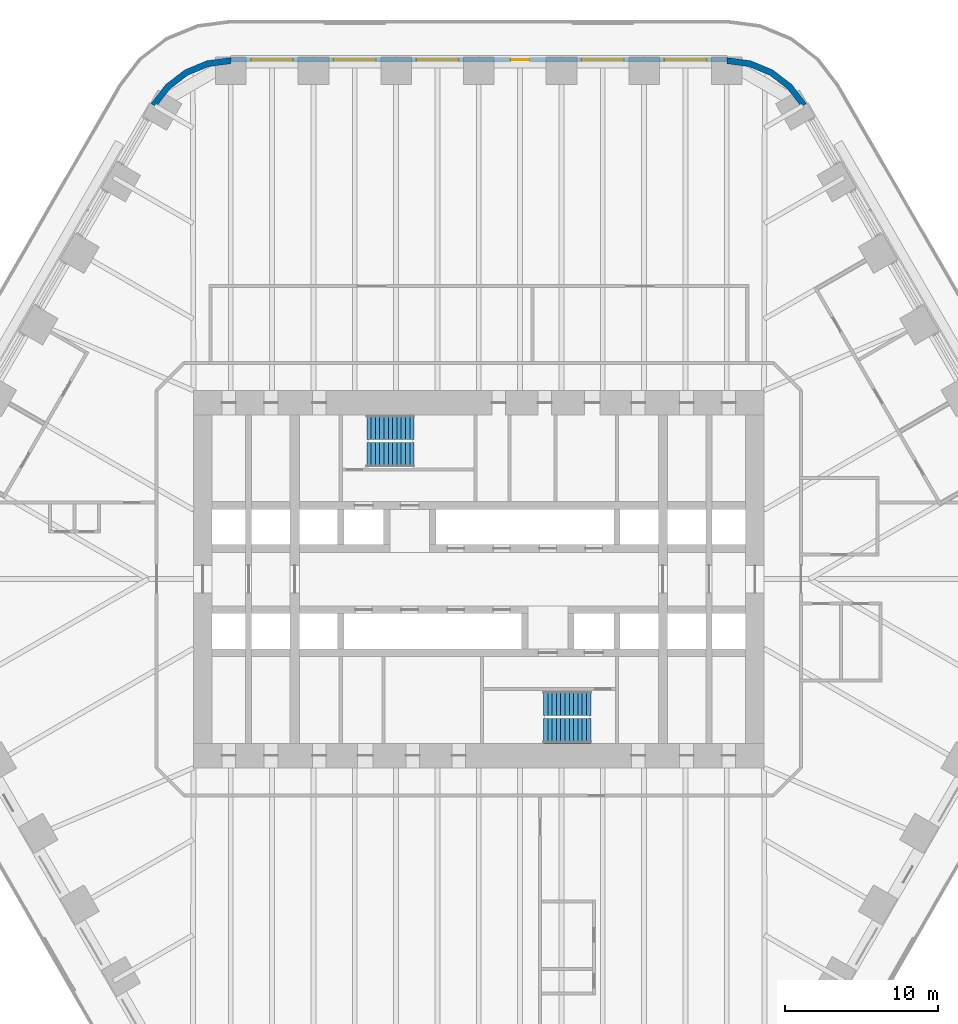
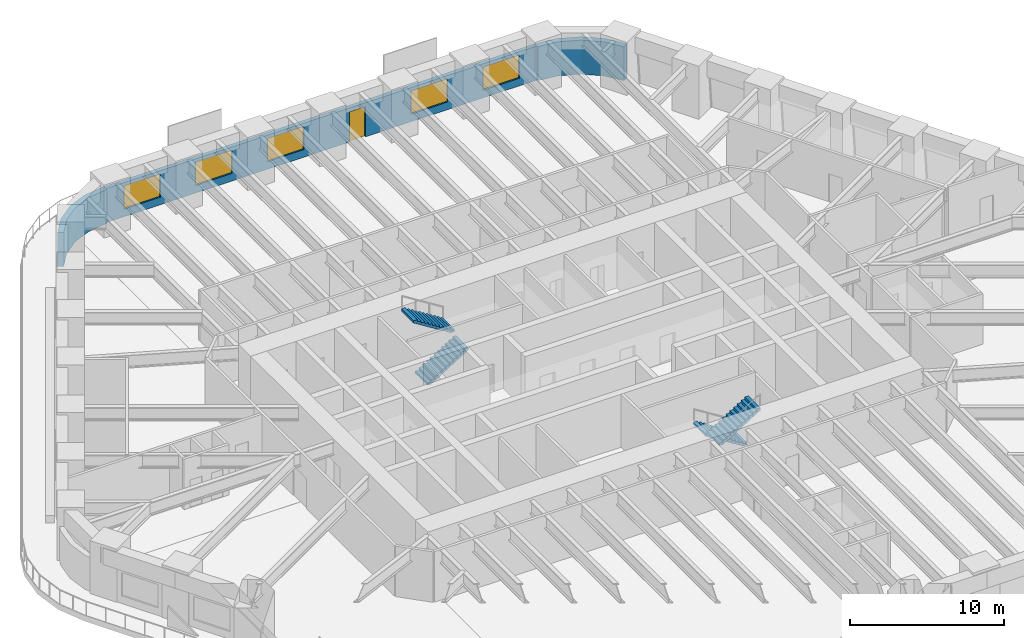
# One storey, part 20 of 23: 5 windows, 4 stair flights, 3 walls, 1 door, 6 openings, 2 elements without a shape of their own.
"""IFC4 building model written with IfcOpenShell, lengths in metres."""

from ifc_helpers import new_model, si_unit, direction, frame, frame_2d, origin, place, context, subcontext, project, spatial, polyline, rectangle, outline, extrude, material, layer, layer_set, type_object, element, fill, aggregate, save


model = new_model("IFC4")

# Units and contexts
model_context = context("Model", 3, precision=1e-05, world=origin(), true_north=direction((0.0, 1.0)))
body_context = subcontext(model_context, "Body", "Model", "MODEL_VIEW")
ifc_project = project(units=[si_unit("LENGTHUNIT", "METRE"), si_unit("AREAUNIT", "SQUARE_METRE"), si_unit("VOLUMEUNIT", "CUBIC_METRE"), si_unit("PLANEANGLEUNIT", "RADIAN"), si_unit("MASSUNIT", "GRAM", prefix="KILO")], contexts=[model_context])

# Site, building, storey
site_placement = place(None, origin())
site = spatial("IfcSite", under=ifc_project, at=site_placement, CompositionType="ELEMENT")
building_placement = place(site_placement, origin())
building = spatial("IfcBuilding", under=site, at=building_placement, Name="Tarfa Lantern Tower", CompositionType="ELEMENT")
storey_placement = place(building_placement, frame((0.0, 0.0, 44.5)))
storey = spatial("IfcBuildingStorey", under=building, at=storey_placement, Name="L09", CompositionType="ELEMENT", Elevation=44.5)

# Wall, openings, door, windows
ifc_material_1 = material(Name="Limestone cladding on blockwork", Category="masonry")
ifc_layer_1 = layer(ifc_material_1, 0.300048828125)
ifc_layer_set_1 = layer_set([ifc_layer_1], Name="EW1 STONE-CLAD WALL 300")
wall_type_1 = type_object("IfcWallType", Name="EW1 STONE-CLAD WALL 300", PredefinedType="SOLIDWALL", material=ifc_layer_set_1)
wall_1_placement = place(storey_placement, frame((16.165771484375, 33.85009765625, 0.0), z_axis=(0.0, 0.0, 1.0), x_axis=(-1.0, 0.0, 0.0)))
wall_1 = element("IfcWall", 1, at=wall_1_placement, inside=storey, type_object=wall_type_1, Name="Stone wall N", PredefinedType="SOLIDWALL", context=body_context, shape_type="SweptSolid", body=[
    extrude(rectangle(XDim=32.33154296875, YDim=0.300048828125, at=frame_2d((16.165771484375, 0.0))), origin(), (0.0, 0.0, 1.0), 2.699951171875),
])
opening_1_placement = place(wall_1_placement, frame((1.3193359375, 0.0, 0.60009765625)))
opening_1 = element("IfcOpeningElement", 2, at=opening_1_placement, cuts=wall_1, Name="Opening W2", PredefinedType="OPENING", context=body_context, shape_type="SweptSolid", body=[
    extrude(rectangle(XDim=2.75, YDim=1.85009765625, at=frame_2d((1.375, 0.925048828125))), frame((0.0, 0.159912109375, 0.0), z_axis=(0.0, -1.0, 0.0), x_axis=(1.0, 0.0, 0.0)), (0.0, 0.0, 1.0), 0.320068359375),
])
opening_2_placement = place(wall_1_placement, frame((6.7080078125, 0.0, 0.60009765625)))
opening_2 = element("IfcOpeningElement", 3, at=opening_2_placement, cuts=wall_1, Name="Opening W2", PredefinedType="OPENING", context=body_context, shape_type="SweptSolid", body=[
    extrude(rectangle(XDim=2.75, YDim=1.85009765625, at=frame_2d((1.375, 0.925048828125))), frame((0.0, 0.159912109375, 0.0), z_axis=(0.0, -1.0, 0.0), x_axis=(1.0, 0.0, 0.0)), (0.0, 0.0, 1.0), 0.320068359375),
])
opening_3_placement = place(wall_1_placement, frame((12.87158203125, 0.0, 0.0)))
opening_3 = element("IfcOpeningElement", 4, at=opening_3_placement, cuts=wall_1, Name="Opening D49", PredefinedType="OPENING", context=body_context, shape_type="SweptSolid", body=[
    extrude(rectangle(XDim=1.199951171875, YDim=2.39990234375, at=frame_2d((0.60009765625, 1.199951171875))), frame((0.0, 0.159912109375, 0.0), z_axis=(0.0, -1.0, 0.0), x_axis=(1.0, 0.0, 0.0)), (0.0, 0.0, 1.0), 0.320068359375),
])
opening_4_placement = place(wall_1_placement, frame((17.485107421875, 0.0, 0.60009765625)))
opening_4 = element("IfcOpeningElement", 5, at=opening_4_placement, cuts=wall_1, Name="Opening W2", PredefinedType="OPENING", context=body_context, shape_type="SweptSolid", body=[
    extrude(rectangle(XDim=2.75, YDim=1.85009765625, at=frame_2d((1.375, 0.925048828125))), frame((0.0, 0.159912109375, 0.0), z_axis=(0.0, -1.0, 0.0), x_axis=(1.0, 0.0, 0.0)), (0.0, 0.0, 1.0), 0.320068359375),
])
opening_5_placement = place(wall_1_placement, frame((22.873779296875, 0.0, 0.60009765625)))
opening_5 = element("IfcOpeningElement", 6, at=opening_5_placement, cuts=wall_1, Name="Opening W2", PredefinedType="OPENING", context=body_context, shape_type="SweptSolid", body=[
    extrude(rectangle(XDim=2.75, YDim=1.85009765625, at=frame_2d((1.375, 0.925048828125))), frame((0.0, 0.159912109375, 0.0), z_axis=(0.0, -1.0, 0.0), x_axis=(1.0, 0.0, 0.0)), (0.0, 0.0, 1.0), 0.320068359375),
])
opening_6_placement = place(wall_1_placement, frame((28.26220703125, 0.0, 0.60009765625)))
opening_6 = element("IfcOpeningElement", 7, at=opening_6_placement, cuts=wall_1, Name="Opening W2", PredefinedType="OPENING", context=body_context, shape_type="SweptSolid", body=[
    extrude(rectangle(XDim=2.75, YDim=1.85009765625, at=frame_2d((1.375, 0.925048828125))), frame((0.0, 0.159912109375, 0.0), z_axis=(0.0, -1.0, 0.0), x_axis=(1.0, 0.0, 0.0)), (0.0, 0.0, 1.0), 0.320068359375),
])
ifc_material_2 = material(Name="Aluminium framed glazed door", Category="aluminium")
door_type = type_object("IfcDoorType", Name="BE3 BALCONY DOOR 1200x2400", OperationType="SINGLE_SWING_RIGHT", PredefinedType="DOOR", material=ifc_material_2)
door_placement = place(opening_3_placement, origin())
door = element("IfcDoor", 8, at=door_placement, inside=storey, type_object=door_type, Name="Balcony door N", OperationType="SINGLE_SWING_RIGHT", OverallHeight=2.39990234375, OverallWidth=1.199951171875, PredefinedType="DOOR", context=body_context, shape_type="SweptSolid", body=[
    extrude(rectangle(XDim=1.199951171875, YDim=2.39990234375, at=frame_2d((0.60009765625, 1.199951171875))), frame((0.0, 0.02490234375, 0.0), z_axis=(0.0, -1.0, 0.0), x_axis=(1.0, 0.0, 0.0)), (0.0, 0.0, 1.0), 0.050048828125),
])
fill(opening_3, door)
ifc_material_3 = material(Name="Aluminium frame, double glazed", Category="aluminium")
window_type = type_object("IfcWindowType", Name="W2 FULL-HEIGHT GLAZING 2750x1850", PartitioningType="SINGLE_PANEL", PredefinedType="WINDOW", material=ifc_material_3)
window_1_placement = place(opening_1_placement, origin())
window_1 = element("IfcWindow", 9, at=window_1_placement, inside=storey, type_object=window_type, Name="Window N 1", OverallHeight=1.85009765625, OverallWidth=2.75, PartitioningType="SINGLE_PANEL", PredefinedType="WINDOW", context=body_context, shape_type="SweptSolid", body=[
    extrude(rectangle(XDim=2.75, YDim=1.85009765625, at=frame_2d((1.375, 0.925048828125))), frame((0.0, 0.030029296875, 0.0), z_axis=(0.0, -1.0, 0.0), x_axis=(1.0, 0.0, 0.0)), (0.0, 0.0, 1.0), 0.06005859375),
])
fill(opening_1, window_1)
window_2_placement = place(opening_2_placement, origin())
window_2 = element("IfcWindow", 10, at=window_2_placement, inside=storey, type_object=window_type, Name="Window N 2", OverallHeight=1.85009765625, OverallWidth=2.75, PartitioningType="SINGLE_PANEL", PredefinedType="WINDOW", context=body_context, shape_type="SweptSolid", body=[
    extrude(rectangle(XDim=2.75, YDim=1.85009765625, at=frame_2d((1.375, 0.925048828125))), frame((0.0, 0.030029296875, 0.0), z_axis=(0.0, -1.0, 0.0), x_axis=(1.0, 0.0, 0.0)), (0.0, 0.0, 1.0), 0.06005859375),
])
fill(opening_2, window_2)
window_3_placement = place(opening_4_placement, origin())
window_3 = element("IfcWindow", 11, at=window_3_placement, inside=storey, type_object=window_type, Name="Window N 4", OverallHeight=1.85009765625, OverallWidth=2.75, PartitioningType="SINGLE_PANEL", PredefinedType="WINDOW", context=body_context, shape_type="SweptSolid", body=[
    extrude(rectangle(XDim=2.75, YDim=1.85009765625, at=frame_2d((1.375, 0.925048828125))), frame((0.0, 0.030029296875, 0.0), z_axis=(0.0, -1.0, 0.0), x_axis=(1.0, 0.0, 0.0)), (0.0, 0.0, 1.0), 0.06005859375),
])
fill(opening_4, window_3)
window_4_placement = place(opening_5_placement, origin())
window_4 = element("IfcWindow", 12, at=window_4_placement, inside=storey, type_object=window_type, Name="Window N 5", OverallHeight=1.85009765625, OverallWidth=2.75, PartitioningType="SINGLE_PANEL", PredefinedType="WINDOW", context=body_context, shape_type="SweptSolid", body=[
    extrude(rectangle(XDim=2.75, YDim=1.85009765625, at=frame_2d((1.375, 0.925048828125))), frame((0.0, 0.030029296875, 0.0), z_axis=(0.0, -1.0, 0.0), x_axis=(1.0, 0.0, 0.0)), (0.0, 0.0, 1.0), 0.06005859375),
])
fill(opening_5, window_4)
window_5_placement = place(opening_6_placement, origin())
window_5 = element("IfcWindow", 13, at=window_5_placement, inside=storey, type_object=window_type, Name="Window N 6", OverallHeight=1.85009765625, OverallWidth=2.75, PartitioningType="SINGLE_PANEL", PredefinedType="WINDOW", context=body_context, shape_type="SweptSolid", body=[
    extrude(rectangle(XDim=2.75, YDim=1.85009765625, at=frame_2d((1.375, 0.925048828125))), frame((0.0, 0.030029296875, 0.0), z_axis=(0.0, -1.0, 0.0), x_axis=(1.0, 0.0, 0.0)), (0.0, 0.0, 1.0), 0.06005859375),
])
fill(opening_6, window_5)

# Walls
ifc_layer_2 = layer(ifc_material_1, 0.39990234375)
ifc_layer_set_2 = layer_set([ifc_layer_2], Name="EW2 CURVED STONE CORNER 400")
wall_type_2 = type_object("IfcWallType", Name="EW2 CURVED STONE CORNER 400", PredefinedType="SOLIDWALL", material=ifc_layer_set_2)
wall_2_placement = place(storey_placement, origin())
element("IfcWall", 14, at=wall_2_placement, inside=storey, type_object=wall_type_2, Name="Stone corner NE-N", PredefinedType="SOLIDWALL", context=body_context, shape_type="SweptSolid", body=[
    extrude(outline(polyline([(21.362060546875, 31.0), (20.408447265625, 32.24267578125), (19.165771484375, 33.196044921875), (17.71875, 33.795654296875), (16.165771484375, 34.0), (16.165771484375, 33.60009765625), (17.615234375, 33.4091796875), (18.9658203125, 32.849853515625), (20.12548828125, 31.959716796875), (21.015625, 30.800048828125), (21.362060546875, 31.0)])), origin(), (0.0, 0.0, 1.0), 2.699951171875),
])
wall_3_placement = place(storey_placement, origin())
element("IfcWall", 15, at=wall_3_placement, inside=storey, type_object=wall_type_2, Name="Stone corner N-NW", PredefinedType="SOLIDWALL", context=body_context, shape_type="SweptSolid", body=[
    extrude(outline(polyline([(-16.165771484375, 34.0), (-17.71875, 33.795654296875), (-19.165771484375, 33.196044921875), (-20.408447265625, 32.24267578125), (-21.362060546875, 31.0), (-21.015625, 30.800048828125), (-20.12548828125, 31.959716796875), (-18.9658203125, 32.849853515625), (-17.615234375, 33.4091796875), (-16.165771484375, 33.60009765625), (-16.165771484375, 34.0)])), origin(), (0.0, 0.0, 1.0), 2.699951171875),
])

# Stair, stair flights
ifc_material_4 = material(Name="Concrete C40/50", Category="concrete")
stair_type = type_object("IfcStairType", Name="ST-T10 HALF-TURN STAIR 4200 RISE", PredefinedType="HALF_TURN_STAIR", material=ifc_material_4)
stair_1_placement = place(storey_placement, origin())
stair_1 = element("IfcStair", 16, at=stair_1_placement, inside=storey, type_object=stair_type, Name="Stair ST1", PredefinedType="HALF_TURN_STAIR")
stair_flight_type = type_object("IfcStairFlightType", Name="SF1 STAIR FLIGHT", PredefinedType="STRAIGHT", material=ifc_material_4)
stair_flight_1_placement = place(storey_placement, frame((-7.300048828125, 8.10009765625, 0.0), z_axis=(0.0, 0.0, 1.0), x_axis=(1.0, 0.0, 0.0)))
stair_flight_1 = element("IfcStairFlight", 17, at=stair_flight_1_placement, type_object=stair_flight_type, Name="ST1 flight 1", NumberOfRisers=12, NumberOfTreads=11, PredefinedType="STRAIGHT", RiserHeight=0.175, TreadLength=0.28, context=body_context, shape_type="SweptSolid", body=[
    extrude(outline(polyline([(0.0, 0.0), (0.0, 0.175048828125), (0.280029296875, 0.175048828125), (0.280029296875, 0.35009765625), (0.56005859375, 0.35009765625), (0.56005859375, 0.52490234375), (0.840087890625, 0.52490234375), (0.840087890625, 0.699951171875), (1.1201171875, 0.699951171875), (1.1201171875, 0.875), (1.39990234375, 0.875), (1.39990234375, 1.050048828125), (1.679931640625, 1.050048828125), (1.679931640625, 1.22509765625), (1.9599609375, 1.22509765625), (1.9599609375, 1.39990234375), (2.239990234375, 1.39990234375), (2.239990234375, 1.574951171875), (2.52001953125, 1.574951171875), (2.52001953125, 1.75), (2.800048828125, 1.75), (2.800048828125, 1.925048828125), (3.080078125, 1.925048828125), (3.080078125, 2.10009765625), (3.080078125, 1.748291015625), (0.28271484375, 0.0), (0.0, 0.0)])), frame((0.0, 0.800048828125, 0.0), z_axis=(0.0, -1.0, 0.0), x_axis=(1.0, 0.0, 0.0)), (0.0, 0.0, 1.0), 1.60009765625),
])
stair_flight_2_placement = place(storey_placement, frame((-4.219970703125, 9.89990234375, 2.10009765625), z_axis=(0.0, 0.0, 1.0), x_axis=(-1.0, 0.0, 0.0)))
stair_flight_2 = element("IfcStairFlight", 18, at=stair_flight_2_placement, type_object=stair_flight_type, Name="ST1 flight 2", NumberOfRisers=12, NumberOfTreads=11, PredefinedType="STRAIGHT", RiserHeight=0.175, TreadLength=0.28, context=body_context, shape_type="SweptSolid", body=[
    extrude(outline(polyline([(0.0, 0.0), (0.0, 0.175048828125), (0.280029296875, 0.175048828125), (0.280029296875, 0.35009765625), (0.56005859375, 0.35009765625), (0.56005859375, 0.52490234375), (0.840087890625, 0.52490234375), (0.840087890625, 0.699951171875), (1.1201171875, 0.699951171875), (1.1201171875, 0.875), (1.39990234375, 0.875), (1.39990234375, 1.050048828125), (1.679931640625, 1.050048828125), (1.679931640625, 1.22509765625), (1.9599609375, 1.22509765625), (1.9599609375, 1.39990234375), (2.239990234375, 1.39990234375), (2.239990234375, 1.574951171875), (2.52001953125, 1.574951171875), (2.52001953125, 1.75), (2.800048828125, 1.75), (2.800048828125, 1.925048828125), (3.080078125, 1.925048828125), (3.080078125, 2.10009765625), (3.080078125, 1.748291015625), (0.28271484375, 0.0), (0.0, 0.0)])), frame((0.0, 0.800048828125, 0.0), z_axis=(0.0, -1.0, 0.0), x_axis=(1.0, 0.0, 0.0)), (0.0, 0.0, 1.0), 1.60009765625),
])
aggregate(stair_1, [stair_flight_1, stair_flight_2])

stair_2_placement = place(storey_placement, origin())
stair_2 = element("IfcStair", 19, at=stair_2_placement, inside=storey, type_object=stair_type, Name="Stair ST2", PredefinedType="HALF_TURN_STAIR")
stair_flight_3_placement = place(storey_placement, frame((7.300048828125, -8.10009765625, 0.0), z_axis=(0.0, 0.0, 1.0), x_axis=(-1.0, 0.0, 0.0)))
stair_flight_3 = element("IfcStairFlight", 20, at=stair_flight_3_placement, type_object=stair_flight_type, Name="ST2 flight 1", NumberOfRisers=12, NumberOfTreads=11, PredefinedType="STRAIGHT", RiserHeight=0.175, TreadLength=0.28, context=body_context, shape_type="SweptSolid", body=[
    extrude(outline(polyline([(0.0, 0.0), (0.0, 0.175048828125), (0.280029296875, 0.175048828125), (0.280029296875, 0.35009765625), (0.56005859375, 0.35009765625), (0.56005859375, 0.52490234375), (0.840087890625, 0.52490234375), (0.840087890625, 0.699951171875), (1.1201171875, 0.699951171875), (1.1201171875, 0.875), (1.39990234375, 0.875), (1.39990234375, 1.050048828125), (1.679931640625, 1.050048828125), (1.679931640625, 1.22509765625), (1.9599609375, 1.22509765625), (1.9599609375, 1.39990234375), (2.239990234375, 1.39990234375), (2.239990234375, 1.574951171875), (2.52001953125, 1.574951171875), (2.52001953125, 1.75), (2.800048828125, 1.75), (2.800048828125, 1.925048828125), (3.080078125, 1.925048828125), (3.080078125, 2.10009765625), (3.080078125, 1.748291015625), (0.28271484375, 0.0), (0.0, 0.0)])), frame((0.0, 0.800048828125, 0.0), z_axis=(0.0, -1.0, 0.0), x_axis=(1.0, 0.0, 0.0)), (0.0, 0.0, 1.0), 1.60009765625),
])
stair_flight_4_placement = place(storey_placement, frame((4.219970703125, -9.89990234375, 2.10009765625), z_axis=(0.0, 0.0, 1.0), x_axis=(1.0, 0.0, 0.0)))
stair_flight_4 = element("IfcStairFlight", 21, at=stair_flight_4_placement, type_object=stair_flight_type, Name="ST2 flight 2", NumberOfRisers=12, NumberOfTreads=11, PredefinedType="STRAIGHT", RiserHeight=0.175, TreadLength=0.28, context=body_context, shape_type="SweptSolid", body=[
    extrude(outline(polyline([(0.0, 0.0), (0.0, 0.175048828125), (0.280029296875, 0.175048828125), (0.280029296875, 0.35009765625), (0.56005859375, 0.35009765625), (0.56005859375, 0.52490234375), (0.840087890625, 0.52490234375), (0.840087890625, 0.699951171875), (1.1201171875, 0.699951171875), (1.1201171875, 0.875), (1.39990234375, 0.875), (1.39990234375, 1.050048828125), (1.679931640625, 1.050048828125), (1.679931640625, 1.22509765625), (1.9599609375, 1.22509765625), (1.9599609375, 1.39990234375), (2.239990234375, 1.39990234375), (2.239990234375, 1.574951171875), (2.52001953125, 1.574951171875), (2.52001953125, 1.75), (2.800048828125, 1.75), (2.800048828125, 1.925048828125), (3.080078125, 1.925048828125), (3.080078125, 2.10009765625), (3.080078125, 1.748291015625), (0.28271484375, 0.0), (0.0, 0.0)])), frame((0.0, 0.800048828125, 0.0), z_axis=(0.0, -1.0, 0.0), x_axis=(1.0, 0.0, 0.0)), (0.0, 0.0, 1.0), 1.60009765625),
])
aggregate(stair_2, [stair_flight_3, stair_flight_4])

save(model, "model.ifc")
